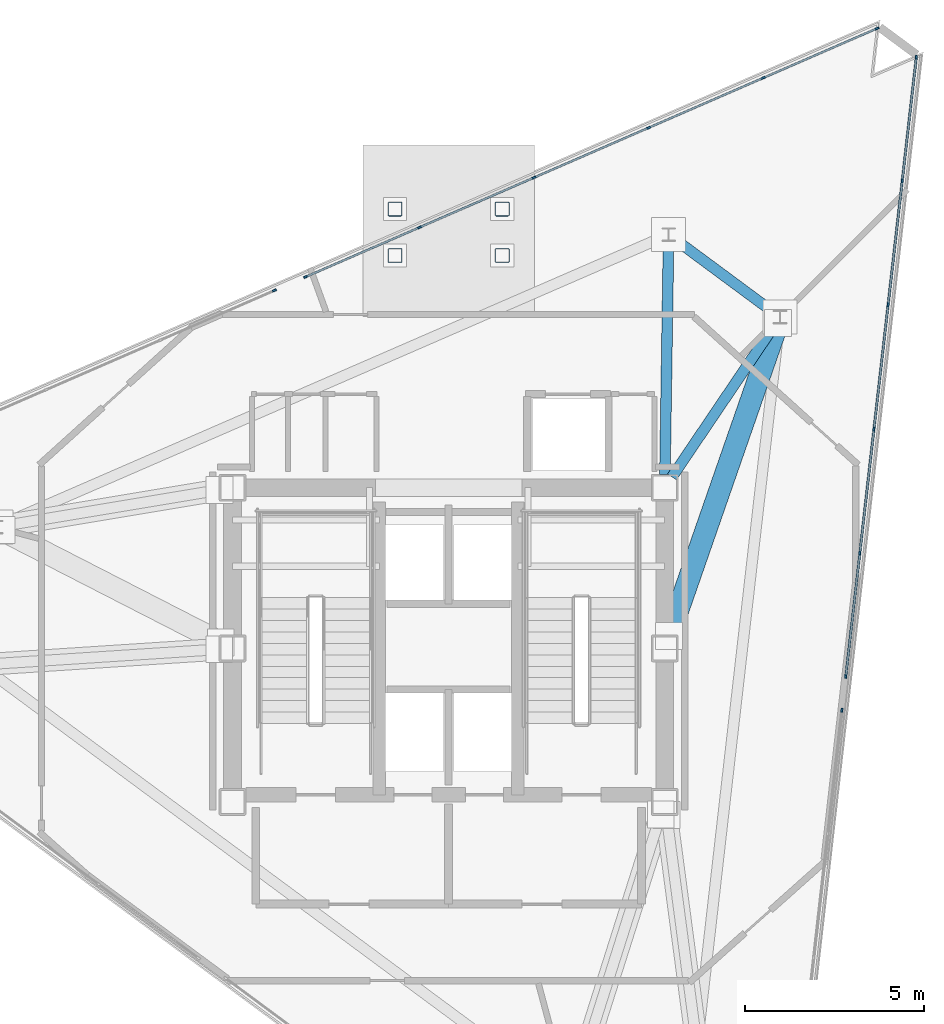
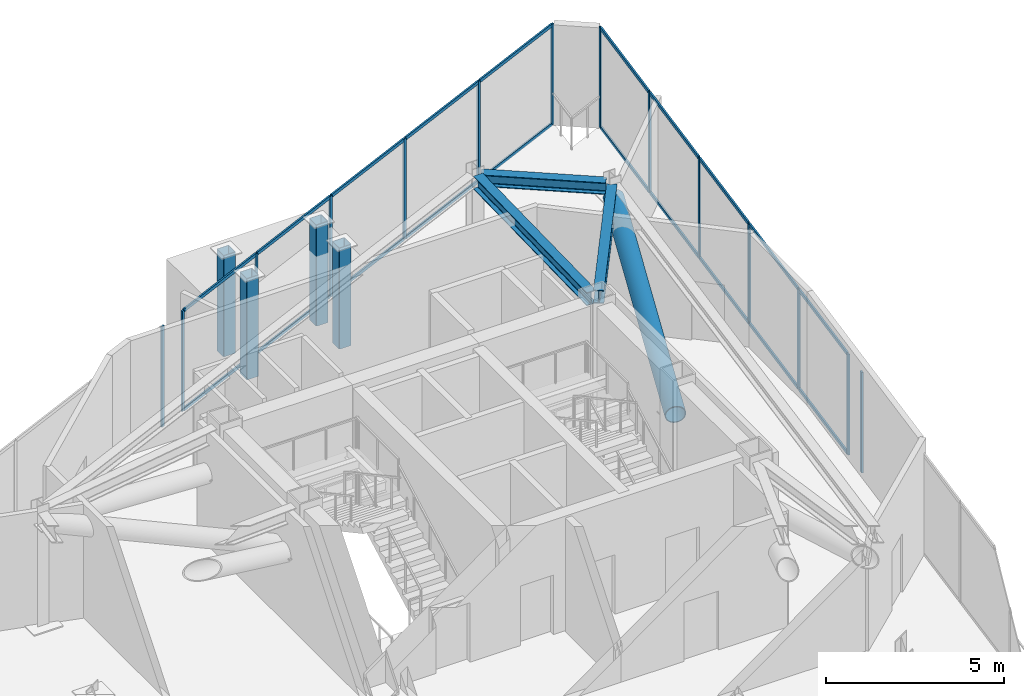
# One storey, part 6 of 11: 39 members, 3 beams, 4 elements without a shape of their own.
"""IFC4 building model written with IfcOpenShell, lengths in metres."""

from ifc_helpers import new_model, si_unit, direction, frame, origin, origin_2d, place, context, subcontext, project, spatial, rectangle, hollow_rectangle, hollow_circle, i_section, extrude, material, layer, layer_set, material_profile, profile_set, type_object, element, aggregate, save


model = new_model("IFC4")

# Units and contexts
model_context = context("Model", 3, precision=1e-05, world=origin(), true_north=direction((0.0, 1.0)))
body_context = subcontext(model_context, "Body", "Model", "MODEL_VIEW")
ifc_project = project(units=[si_unit("LENGTHUNIT", "METRE"), si_unit("AREAUNIT", "SQUARE_METRE"), si_unit("VOLUMEUNIT", "CUBIC_METRE"), si_unit("PLANEANGLEUNIT", "RADIAN"), si_unit("MASSUNIT", "GRAM", prefix="KILO")], contexts=[model_context])

# Site, building, storey
site_placement = place(None, origin())
site = spatial("IfcSite", under=ifc_project, at=site_placement, CompositionType="ELEMENT")
building_placement = place(site_placement, origin())
building = spatial("IfcBuilding", under=site, at=building_placement, Name="Rocaltana Carrier Exchange", CompositionType="ELEMENT")
storey_placement = place(building_placement, frame((0.0, 0.0, 239.199951171875)))
storey = spatial("IfcBuildingStorey", under=building, at=storey_placement, Name="L76", CompositionType="ELEMENT", Elevation=239.199951171875)

# Curtain wall, member
ifc_material_1 = material(Name="Aluminium 6063-T6", Category="aluminium")
ifc_layer = layer(ifc_material_1, 0.110107421875)
ifc_layer_set = layer_set([ifc_layer], Name="Aluminium 6063-T6")
curtain_wall_type = type_object("IfcCurtainWallType", Name="Crown Lantern Faceted Curtain Wall CW-06", PredefinedType="NOTDEFINED", material=ifc_layer_set)
curtain_wall_1_placement = place(storey_placement, origin())
curtain_wall_1 = element("IfcCurtainWall", 1, at=curtain_wall_1_placement, inside=storey, type_object=curtain_wall_type, Name="L76 CW-06 Run CW06-L76-F1S1", PredefinedType="NOTDEFINED")
ifc_material_2 = material(Name="Aluminium 6063-T6", Category="aluminium")
ifc_material_profile_1 = material_profile(ifc_material_2, rectangle(XDim=0.054931640625, YDim=0.110107421875, at=origin_2d()), Name="AL-55X110")
ifc_profile_set_1 = profile_set([ifc_material_profile_1], Name="Aluminium 6063-T6")
member_type_1 = type_object("IfcMemberType", Name="CW-06 Mullion AL-55X110", PredefinedType="MULLION", material=ifc_profile_set_1)
member_1_placement = place(storey_placement, frame((11.010498046875, -1.735107421875, 0.0), z_axis=(0.0, 0.0, 1.0), x_axis=(-0.993572284893, 0.113199446517, 0.0)))
member_1 = element("IfcMember", 2, at=member_1_placement, type_object=member_type_1, Name="CW-06 mullion 6", PredefinedType="MULLION", context=body_context, shape_type="SweptSolid", body=[
    extrude(rectangle(XDim=0.054931640625, YDim=0.110107421875, at=origin_2d()), origin(), (0.0, 0.0, 1.0), 3.447998046875),
])
aggregate(curtain_wall_1, [member_1])

# Curtain wall, members
curtain_wall_2_placement = place(storey_placement, origin())
curtain_wall_2 = element("IfcCurtainWall", 3, at=curtain_wall_2_placement, inside=storey, type_object=curtain_wall_type, Name="L76 CW-06 Run CW06-L76-F1S2", PredefinedType="NOTDEFINED")
member_2_placement = place(storey_placement, frame((11.118408203125, -0.7861328125, 0.0), z_axis=(0.0, 0.0, 1.0), x_axis=(-0.993571568954, 0.113205730273, 0.0)))
member_2 = element("IfcMember", 4, at=member_2_placement, type_object=member_type_1, Name="CW-06 mullion 1", PredefinedType="MULLION", context=body_context, shape_type="SweptSolid", body=[
    extrude(rectangle(XDim=0.054931640625, YDim=0.110107421875, at=origin_2d()), origin(), (0.0, 0.0, 1.0), 3.447998046875),
])
member_3_placement = place(storey_placement, frame((11.51171875, 2.6640625, 0.0), z_axis=(0.0, 0.0, 1.0), x_axis=(-0.993571568954, 0.113205730273, 0.0)))
member_3 = element("IfcMember", 5, at=member_3_placement, type_object=member_type_1, Name="CW-06 mullion 2", PredefinedType="MULLION", context=body_context, shape_type="SweptSolid", body=[
    extrude(rectangle(XDim=0.054931640625, YDim=0.110107421875, at=origin_2d()), origin(), (0.0, 0.0, 1.0), 3.447998046875),
])
member_4_placement = place(storey_placement, frame((11.907958984375, 6.1416015625, 0.0), z_axis=(0.0, 0.0, 1.0), x_axis=(-0.993571568954, 0.113205730273, 0.0)))
member_4 = element("IfcMember", 6, at=member_4_placement, type_object=member_type_1, Name="CW-06 mullion 3", PredefinedType="MULLION", context=body_context, shape_type="SweptSolid", body=[
    extrude(rectangle(XDim=0.054931640625, YDim=0.110107421875, at=origin_2d()), origin(), (0.0, 0.0, 1.0), 3.447998046875),
])
member_5_placement = place(storey_placement, frame((12.303955078125, 9.618896484375, 0.0), z_axis=(0.0, 0.0, 1.0), x_axis=(-0.993571568954, 0.113205730273, 0.0)))
member_5 = element("IfcMember", 7, at=member_5_placement, type_object=member_type_1, Name="CW-06 mullion 4", PredefinedType="MULLION", context=body_context, shape_type="SweptSolid", body=[
    extrude(rectangle(XDim=0.054931640625, YDim=0.110107421875, at=origin_2d()), origin(), (0.0, 0.0, 1.0), 3.447998046875),
])
member_6_placement = place(storey_placement, frame((12.7001953125, 13.096435546875, 0.0), z_axis=(0.0, 0.0, 1.0), x_axis=(-0.993571568954, 0.113205730273, 0.0)))
member_6 = element("IfcMember", 8, at=member_6_placement, type_object=member_type_1, Name="CW-06 mullion 5", PredefinedType="MULLION", context=body_context, shape_type="SweptSolid", body=[
    extrude(rectangle(XDim=0.054931640625, YDim=0.110107421875, at=origin_2d()), origin(), (0.0, 0.0, 1.0), 3.447998046875),
])
member_7_placement = place(storey_placement, frame((13.093505859375, 16.546630859375, 0.0), z_axis=(0.0, 0.0, 1.0), x_axis=(-0.993571568954, 0.113205730273, 0.0)))
member_7 = element("IfcMember", 9, at=member_7_placement, type_object=member_type_1, Name="CW-06 mullion 6", PredefinedType="MULLION", context=body_context, shape_type="SweptSolid", body=[
    extrude(rectangle(XDim=0.054931640625, YDim=0.110107421875, at=origin_2d()), origin(), (0.0, 0.0, 1.0), 3.447998046875),
])

curtain_wall_3_placement = place(storey_placement, origin())
curtain_wall_3 = element("IfcCurtainWall", 10, at=curtain_wall_3_placement, inside=storey, type_object=curtain_wall_type, Name="L76 CW-06 Run CW06-L76-F2S1", PredefinedType="NOTDEFINED")
member_8_placement = place(storey_placement, frame((11.995361328125, 17.359130859375, 0.0), z_axis=(0.0, 0.0, 1.0), x_axis=(0.398749722519, -0.917059790194, 0.0)))
member_8 = element("IfcMember", 11, at=member_8_placement, type_object=member_type_1, Name="CW-06 mullion 1", PredefinedType="MULLION", context=body_context, shape_type="SweptSolid", body=[
    extrude(rectangle(XDim=0.054931640625, YDim=0.110107421875, at=origin_2d()), origin(), (0.0, 0.0, 1.0), 3.447998046875),
])
member_9_placement = place(storey_placement, frame((8.81103515625, 15.974365234375, 0.0), z_axis=(0.0, 0.0, 1.0), x_axis=(0.398749722519, -0.917059790194, 0.0)))
member_9 = element("IfcMember", 12, at=member_9_placement, type_object=member_type_1, Name="CW-06 mullion 2", PredefinedType="MULLION", context=body_context, shape_type="SweptSolid", body=[
    extrude(rectangle(XDim=0.054931640625, YDim=0.110107421875, at=origin_2d()), origin(), (0.0, 0.0, 1.0), 3.447998046875),
])
member_10_placement = place(storey_placement, frame((5.601318359375, 14.578857421875, 0.0), z_axis=(0.0, 0.0, 1.0), x_axis=(0.398749722519, -0.917059790194, 0.0)))
member_10 = element("IfcMember", 13, at=member_10_placement, type_object=member_type_1, Name="CW-06 mullion 3", PredefinedType="MULLION", context=body_context, shape_type="SweptSolid", body=[
    extrude(rectangle(XDim=0.054931640625, YDim=0.110107421875, at=origin_2d()), origin(), (0.0, 0.0, 1.0), 3.447998046875),
])
member_11_placement = place(storey_placement, frame((2.3916015625, 13.18310546875, 0.0), z_axis=(0.0, 0.0, 1.0), x_axis=(0.398749722519, -0.917059790194, 0.0)))
member_11 = element("IfcMember", 14, at=member_11_placement, type_object=member_type_1, Name="CW-06 mullion 4", PredefinedType="MULLION", context=body_context, shape_type="SweptSolid", body=[
    extrude(rectangle(XDim=0.054931640625, YDim=0.110107421875, at=origin_2d()), origin(), (0.0, 0.0, 1.0), 3.447998046875),
])
member_12_placement = place(storey_placement, frame((-0.818115234375, 11.78759765625, 0.0), z_axis=(0.0, 0.0, 1.0), x_axis=(0.398749722519, -0.917059790194, 0.0)))
member_12 = element("IfcMember", 15, at=member_12_placement, type_object=member_type_1, Name="CW-06 mullion 5", PredefinedType="MULLION", context=body_context, shape_type="SweptSolid", body=[
    extrude(rectangle(XDim=0.054931640625, YDim=0.110107421875, at=origin_2d()), origin(), (0.0, 0.0, 1.0), 3.447998046875),
])
member_13_placement = place(storey_placement, frame((-4.002685546875, 10.40283203125, 0.0), z_axis=(0.0, 0.0, 1.0), x_axis=(0.398749722519, -0.917059790194, 0.0)))
member_13 = element("IfcMember", 16, at=member_13_placement, type_object=member_type_1, Name="CW-06 mullion 6", PredefinedType="MULLION", context=body_context, shape_type="SweptSolid", body=[
    extrude(rectangle(XDim=0.054931640625, YDim=0.110107421875, at=origin_2d()), origin(), (0.0, 0.0, 1.0), 3.447998046875),
])

# Curtain wall, member
curtain_wall_4_placement = place(storey_placement, origin())
curtain_wall_4 = element("IfcCurtainWall", 17, at=curtain_wall_4_placement, inside=storey, type_object=curtain_wall_type, Name="L76 CW-06 Run CW06-L76-F2S2", PredefinedType="NOTDEFINED")
member_14_placement = place(storey_placement, frame((-4.87841796875, 10.02197265625, 0.0), z_axis=(0.0, 0.0, 1.0), x_axis=(0.398749722519, -0.917059790194, 0.0)))
member_14 = element("IfcMember", 18, at=member_14_placement, type_object=member_type_1, Name="CW-06 mullion 1", PredefinedType="MULLION", context=body_context, shape_type="SweptSolid", body=[
    extrude(rectangle(XDim=0.054931640625, YDim=0.110107421875, at=origin_2d()), origin(), (0.0, 0.0, 1.0), 3.447998046875),
])
aggregate(curtain_wall_4, [member_14])

# Member
ifc_material_3 = material(Name="Aluminium 6063-T6", Category="aluminium")
ifc_material_profile_2 = material_profile(ifc_material_3, rectangle(XDim=0.054931640625, YDim=0.110107421875, at=origin_2d()), Name="AL-55X110")
ifc_profile_set_2 = profile_set([ifc_material_profile_2], Name="Aluminium 6063-T6")
member_type_2 = type_object("IfcMemberType", Name="CW-06 Transom AL-55X110", PredefinedType="USERDEFINED", material=ifc_profile_set_2)
member_15_placement = place(storey_placement, frame((11.12158203125, -0.7587890625, 0.027587890625), z_axis=(0.113230263574, 0.993568773367, 0.0), x_axis=(-0.993568773367, 0.113230263574, 0.0)))
member_15 = element("IfcMember", 19, at=member_15_placement, type_object=member_type_2, Name="CW-06 transom 1.1", ObjectType="TRANSOM", PredefinedType="USERDEFINED", context=body_context, shape_type="SweptSolid", body=[
    extrude(rectangle(XDim=0.054931640625, YDim=0.110107421875, at=origin_2d()), origin(), (0.0, 0.0, 1.0), 3.41748046875),
])

member_16_placement = place(storey_placement, frame((11.12158203125, -0.7587890625, 3.420654296875), z_axis=(0.113230263574, 0.993568773367, 0.0), x_axis=(-0.993568773367, 0.113230263574, 0.0)))
member_16 = element("IfcMember", 20, at=member_16_placement, type_object=member_type_2, Name="CW-06 transom 1.2", ObjectType="TRANSOM", PredefinedType="USERDEFINED", context=body_context, shape_type="SweptSolid", body=[
    extrude(rectangle(XDim=0.054931640625, YDim=0.110107421875, at=origin_2d()), origin(), (0.0, 0.0, 1.0), 3.41748046875),
])

member_17_placement = place(storey_placement, frame((11.5146484375, 2.69140625, 0.027587890625), z_axis=(0.113246782546, 0.993566890674, 0.0), x_axis=(-0.993566890674, 0.113246782546, 0.0)))
member_17 = element("IfcMember", 21, at=member_17_placement, type_object=member_type_2, Name="CW-06 transom 2.1", ObjectType="TRANSOM", PredefinedType="USERDEFINED", context=body_context, shape_type="SweptSolid", body=[
    extrude(rectangle(XDim=0.054931640625, YDim=0.110107421875, at=origin_2d()), origin(), (0.0, 0.0, 1.0), 3.445068359375),
])

member_18_placement = place(storey_placement, frame((11.5146484375, 2.69140625, 3.420654296875), z_axis=(0.113246782546, 0.993566890674, 0.0), x_axis=(-0.993566890674, 0.113246782546, 0.0)))
member_18 = element("IfcMember", 22, at=member_18_placement, type_object=member_type_2, Name="CW-06 transom 2.2", ObjectType="TRANSOM", PredefinedType="USERDEFINED", context=body_context, shape_type="SweptSolid", body=[
    extrude(rectangle(XDim=0.054931640625, YDim=0.110107421875, at=origin_2d()), origin(), (0.0, 0.0, 1.0), 3.445068359375),
])

member_19_placement = place(storey_placement, frame((11.910888671875, 6.168701171875, 0.027587890625), z_axis=(0.11323880918, 0.993567799446, 0.0), x_axis=(-0.993567799446, 0.11323880918, 0.0)))
member_19 = element("IfcMember", 23, at=member_19_placement, type_object=member_type_2, Name="CW-06 transom 3.1", ObjectType="TRANSOM", PredefinedType="USERDEFINED", context=body_context, shape_type="SweptSolid", body=[
    extrude(rectangle(XDim=0.054931640625, YDim=0.110107421875, at=origin_2d()), origin(), (0.0, 0.0, 1.0), 3.4453125),
])

member_20_placement = place(storey_placement, frame((11.910888671875, 6.168701171875, 3.420654296875), z_axis=(0.11323880918, 0.993567799446, 0.0), x_axis=(-0.993567799446, 0.11323880918, 0.0)))
member_20 = element("IfcMember", 24, at=member_20_placement, type_object=member_type_2, Name="CW-06 transom 3.2", ObjectType="TRANSOM", PredefinedType="USERDEFINED", context=body_context, shape_type="SweptSolid", body=[
    extrude(rectangle(XDim=0.054931640625, YDim=0.110107421875, at=origin_2d()), origin(), (0.0, 0.0, 1.0), 3.4453125),
])

member_21_placement = place(storey_placement, frame((12.30712890625, 9.646240234375, 0.027587890625), z_axis=(0.113246782546, 0.993566890674, 0.0), x_axis=(-0.993566890674, 0.113246782546, 0.0)))
member_21 = element("IfcMember", 25, at=member_21_placement, type_object=member_type_2, Name="CW-06 transom 4.1", ObjectType="TRANSOM", PredefinedType="USERDEFINED", context=body_context, shape_type="SweptSolid", body=[
    extrude(rectangle(XDim=0.054931640625, YDim=0.110107421875, at=origin_2d()), origin(), (0.0, 0.0, 1.0), 3.445068359375),
])

member_22_placement = place(storey_placement, frame((12.30712890625, 9.646240234375, 3.420654296875), z_axis=(0.113246782546, 0.993566890674, 0.0), x_axis=(-0.993566890674, 0.113246782546, 0.0)))
member_22 = element("IfcMember", 26, at=member_22_placement, type_object=member_type_2, Name="CW-06 transom 4.2", ObjectType="TRANSOM", PredefinedType="USERDEFINED", context=body_context, shape_type="SweptSolid", body=[
    extrude(rectangle(XDim=0.054931640625, YDim=0.110107421875, at=origin_2d()), origin(), (0.0, 0.0, 1.0), 3.445068359375),
])

member_23_placement = place(storey_placement, frame((12.703369140625, 13.123779296875, 0.027587890625), z_axis=(0.113230263574, 0.993568773367, 0.0), x_axis=(-0.993568773367, 0.113230263574, 0.0)))
member_23 = element("IfcMember", 27, at=member_23_placement, type_object=member_type_2, Name="CW-06 transom 5.1", ObjectType="TRANSOM", PredefinedType="USERDEFINED", context=body_context, shape_type="SweptSolid", body=[
    extrude(rectangle(XDim=0.054931640625, YDim=0.110107421875, at=origin_2d()), origin(), (0.0, 0.0, 1.0), 3.41748046875),
])

member_24_placement = place(storey_placement, frame((12.703369140625, 13.123779296875, 3.420654296875), z_axis=(0.113230263574, 0.993568773367, 0.0), x_axis=(-0.993568773367, 0.113230263574, 0.0)))
member_24 = element("IfcMember", 28, at=member_24_placement, type_object=member_type_2, Name="CW-06 transom 5.2", ObjectType="TRANSOM", PredefinedType="USERDEFINED", context=body_context, shape_type="SweptSolid", body=[
    extrude(rectangle(XDim=0.054931640625, YDim=0.110107421875, at=origin_2d()), origin(), (0.0, 0.0, 1.0), 3.41748046875),
])

aggregate(curtain_wall_2, [member_2, member_3, member_4, member_5, member_6, member_7, member_15, member_16, member_17, member_18, member_19, member_20, member_21, member_22, member_23, member_24])

member_25_placement = place(storey_placement, frame((11.97021484375, 17.34814453125, 0.027587890625), z_axis=(-0.917051883427, -0.398767906309, 0.0), x_axis=(0.398767906309, -0.917051883427, 0.0)))
member_25 = element("IfcMember", 29, at=member_25_placement, type_object=member_type_2, Name="CW-06 transom 1.1", ObjectType="TRANSOM", PredefinedType="USERDEFINED", context=body_context, shape_type="SweptSolid", body=[
    extrude(rectangle(XDim=0.054931640625, YDim=0.110107421875, at=origin_2d()), origin(), (0.0, 0.0, 1.0), 3.41748046875),
])

member_26_placement = place(storey_placement, frame((11.97021484375, 17.34814453125, 3.420654296875), z_axis=(-0.917051883427, -0.398767906309, 0.0), x_axis=(0.398767906309, -0.917051883427, 0.0)))
member_26 = element("IfcMember", 30, at=member_26_placement, type_object=member_type_2, Name="CW-06 transom 1.2", ObjectType="TRANSOM", PredefinedType="USERDEFINED", context=body_context, shape_type="SweptSolid", body=[
    extrude(rectangle(XDim=0.054931640625, YDim=0.110107421875, at=origin_2d()), origin(), (0.0, 0.0, 1.0), 3.41748046875),
])

member_27_placement = place(storey_placement, frame((8.785888671875, 15.96337890625, 0.027587890625), z_axis=(-0.91708357557, -0.398695015544, 0.0), x_axis=(0.398695015544, -0.91708357557, 0.0)))
member_27 = element("IfcMember", 31, at=member_27_placement, type_object=member_type_2, Name="CW-06 transom 2.1", ObjectType="TRANSOM", PredefinedType="USERDEFINED", context=body_context, shape_type="SweptSolid", body=[
    extrude(rectangle(XDim=0.054931640625, YDim=0.110107421875, at=origin_2d()), origin(), (0.0, 0.0, 1.0), 3.445068359375),
])

member_28_placement = place(storey_placement, frame((8.785888671875, 15.96337890625, 3.420654296875), z_axis=(-0.91708357557, -0.398695015544, 0.0), x_axis=(0.398695015544, -0.91708357557, 0.0)))
member_28 = element("IfcMember", 32, at=member_28_placement, type_object=member_type_2, Name="CW-06 transom 2.2", ObjectType="TRANSOM", PredefinedType="USERDEFINED", context=body_context, shape_type="SweptSolid", body=[
    extrude(rectangle(XDim=0.054931640625, YDim=0.110107421875, at=origin_2d()), origin(), (0.0, 0.0, 1.0), 3.445068359375),
])

member_29_placement = place(storey_placement, frame((5.576171875, 14.56787109375, 0.027587890625), z_axis=(-0.91705766297, -0.398754614754, 0.0), x_axis=(0.398754614754, -0.91705766297, 0.0)))
member_29 = element("IfcMember", 33, at=member_29_placement, type_object=member_type_2, Name="CW-06 transom 3.1", ObjectType="TRANSOM", PredefinedType="USERDEFINED", context=body_context, shape_type="SweptSolid", body=[
    extrude(rectangle(XDim=0.054931640625, YDim=0.110107421875, at=origin_2d()), origin(), (0.0, 0.0, 1.0), 3.445068359375),
])

member_30_placement = place(storey_placement, frame((5.576171875, 14.56787109375, 3.420654296875), z_axis=(-0.91705766297, -0.398754614754, 0.0), x_axis=(0.398754614754, -0.91705766297, 0.0)))
member_30 = element("IfcMember", 34, at=member_30_placement, type_object=member_type_2, Name="CW-06 transom 3.2", ObjectType="TRANSOM", PredefinedType="USERDEFINED", context=body_context, shape_type="SweptSolid", body=[
    extrude(rectangle(XDim=0.054931640625, YDim=0.110107421875, at=origin_2d()), origin(), (0.0, 0.0, 1.0), 3.445068359375),
])

member_31_placement = place(storey_placement, frame((2.366455078125, 13.172119140625, 0.027587890625), z_axis=(-0.91708357557, -0.398695015544, 0.0), x_axis=(0.398695015544, -0.91708357557, 0.0)))
member_31 = element("IfcMember", 35, at=member_31_placement, type_object=member_type_2, Name="CW-06 transom 4.1", ObjectType="TRANSOM", PredefinedType="USERDEFINED", context=body_context, shape_type="SweptSolid", body=[
    extrude(rectangle(XDim=0.054931640625, YDim=0.110107421875, at=origin_2d()), origin(), (0.0, 0.0, 1.0), 3.445068359375),
])

member_32_placement = place(storey_placement, frame((2.366455078125, 13.172119140625, 3.420654296875), z_axis=(-0.91708357557, -0.398695015544, 0.0), x_axis=(0.398695015544, -0.91708357557, 0.0)))
member_32 = element("IfcMember", 36, at=member_32_placement, type_object=member_type_2, Name="CW-06 transom 4.2", ObjectType="TRANSOM", PredefinedType="USERDEFINED", context=body_context, shape_type="SweptSolid", body=[
    extrude(rectangle(XDim=0.054931640625, YDim=0.110107421875, at=origin_2d()), origin(), (0.0, 0.0, 1.0), 3.445068359375),
])

member_33_placement = place(storey_placement, frame((-0.84326171875, 11.776611328125, 0.027587890625), z_axis=(-0.917051883427, -0.398767906309, 0.0), x_axis=(0.398767906309, -0.917051883427, 0.0)))
member_33 = element("IfcMember", 37, at=member_33_placement, type_object=member_type_2, Name="CW-06 transom 5.1", ObjectType="TRANSOM", PredefinedType="USERDEFINED", context=body_context, shape_type="SweptSolid", body=[
    extrude(rectangle(XDim=0.054931640625, YDim=0.110107421875, at=origin_2d()), origin(), (0.0, 0.0, 1.0), 3.41748046875),
])

member_34_placement = place(storey_placement, frame((-0.84326171875, 11.776611328125, 3.420654296875), z_axis=(-0.917051883427, -0.398767906309, 0.0), x_axis=(0.398767906309, -0.917051883427, 0.0)))
member_34 = element("IfcMember", 38, at=member_34_placement, type_object=member_type_2, Name="CW-06 transom 5.2", ObjectType="TRANSOM", PredefinedType="USERDEFINED", context=body_context, shape_type="SweptSolid", body=[
    extrude(rectangle(XDim=0.054931640625, YDim=0.110107421875, at=origin_2d()), origin(), (0.0, 0.0, 1.0), 3.41748046875),
])

aggregate(curtain_wall_3, [member_8, member_9, member_10, member_11, member_12, member_13, member_25, member_26, member_27, member_28, member_29, member_30, member_31, member_32, member_33, member_34])

# Beams
ifc_material_4 = material(Name="Steel S460", Category="steel")
ifc_material_profile_3 = material_profile(ifc_material_4, i_section(OverallWidth=0.300048828125, OverallDepth=0.449951171875, WebThickness=0.013916015625, FlangeThickness=0.02587890625, FilletRadius=0.027099609375, at=origin_2d()), Name="HEB450")
ifc_profile_set_3 = profile_set([ifc_material_profile_3], Name="Steel S460")
beam_type_1 = type_object("IfcBeamType", Name="Crown Frame Rafter HEB450", PredefinedType="BEAM", material=ifc_profile_set_3)
beam_1_placement = place(storey_placement, frame((6.255615234375, 4.80419921875, 3.703125), z_axis=(0.5598227267, 0.82861240316, 0.0), x_axis=(-0.82861240316, 0.5598227267, 0.0)))
element("IfcBeam", 39, at=beam_1_placement, inside=storey, type_object=beam_type_1, Name="CRG-RAD-L76-02", PredefinedType="BEAM", context=body_context, shape_type="SweptSolid", body=[
    extrude(i_section(OverallWidth=0.300048828125, OverallDepth=0.449951171875, WebThickness=0.013916015625, FlangeThickness=0.02587890625, FilletRadius=0.027099609375, at=origin_2d()), origin(), (0.0, 0.0, 1.0), 5.224609375),
])
beam_2_placement = place(storey_placement, frame((6.0556640625, 4.866943359375, 3.703125), z_axis=(0.015443613881, 0.999880740284, 0.0), x_axis=(-0.999880740284, 0.015443613881, 0.0)))
element("IfcBeam", 40, at=beam_2_placement, inside=storey, type_object=beam_type_1, Name="CRG-RAD-L76-03", PredefinedType="BEAM", context=body_context, shape_type="SweptSolid", body=[
    extrude(i_section(OverallWidth=0.300048828125, OverallDepth=0.449951171875, WebThickness=0.013916015625, FlangeThickness=0.02587890625, FilletRadius=0.027099609375, at=origin_2d()), origin(), (0.0, 0.0, 1.0), 6.544677734375),
])
ifc_material_5 = material(Name="Steel S460", Category="steel")
ifc_material_profile_4 = material_profile(ifc_material_5, i_section(OverallWidth=0.300048828125, OverallDepth=0.39990234375, WebThickness=0.013427734375, FlangeThickness=0.02392578125, FilletRadius=0.027099609375, at=origin_2d()), Name="HEB400")
ifc_profile_set_4 = profile_set([ifc_material_profile_4], Name="Steel S460")
beam_type_2 = type_object("IfcBeamType", Name="Crown Ring Beam HEB400", PredefinedType="BEAM", material=ifc_profile_set_4)
beam_3_placement = place(storey_placement, frame((9.137939453125, 9.380859375, 3.72802734375), z_axis=(-0.803841238044, 0.594843898867, 0.0), x_axis=(-0.594843898867, -0.803841238044, 0.0)))
element("IfcBeam", 41, at=beam_3_placement, inside=storey, type_object=beam_type_2, Name="CRG-RING-L76-02", PredefinedType="BEAM", context=body_context, shape_type="SweptSolid", body=[
    extrude(i_section(OverallWidth=0.300048828125, OverallDepth=0.39990234375, WebThickness=0.013427734375, FlangeThickness=0.02392578125, FilletRadius=0.027099609375, at=origin_2d()), origin(), (0.0, 0.0, 1.0), 3.53125),
])

# Members
ifc_material_6 = material(Name="Steel S460", Category="steel")
ifc_material_profile_5 = material_profile(ifc_material_6, hollow_circle(Radius=0.304931640625, WallThickness=0.02490234375, at=origin_2d()), Name="CHS610X25")
ifc_profile_set_5 = profile_set([ifc_material_profile_5], Name="Steel S460")
member_type_3 = type_object("IfcMemberType", Name="Outrigger Diagonal CHS610", PredefinedType="BRACE", material=ifc_profile_set_5)
member_35_placement = place(storey_placement, frame((6.171875, 0.350341796875, 2.400146484375), z_axis=(0.326458523465, 0.938264235067, 0.114389936845), x_axis=(-0.944463763542, 0.328615579906, 0.0)))
element("IfcMember", 42, at=member_35_placement, inside=storey, type_object=member_type_3, Name="L76 Hat Truss Diagonal 2", PredefinedType="BRACE", context=body_context, shape_type="SweptSolid", body=[
    extrude(hollow_circle(Radius=0.304931640625, WallThickness=0.02490234375, at=origin_2d()), origin(), (0.0, 0.0, 1.0), 9.33544921875),
])
ifc_material_7 = material(Name="Steel S460", Category="steel")
ifc_material_profile_6 = material_profile(ifc_material_7, hollow_rectangle(XDim=0.39990234375, YDim=0.39990234375, WallThickness=0.01611328125, InnerFilletRadius=0.01611328125, OuterFilletRadius=0.031982421875, at=origin_2d()), Name="HSS400X400X16")
ifc_profile_set_6 = profile_set([ifc_material_profile_6], Name="Steel S460")
member_type_4 = type_object("IfcMemberType", Name="TMD Ring Post HSS400", PredefinedType="POST", material=ifc_profile_set_6)
for number, where, z_axis, x_axis, name in (
    (43, (-1.5, 11.0, 0.0), (0.0, 0.0, 1.0), (1.0, 0.0, 0.0), "L76 TMD Support Ring Post 1"),
    (44, (1.5, 11.0, 0.0), (0.0, 0.0, 1.0), (1.0, 0.0, 0.0), "L76 TMD Support Ring Post 2"),
    (45, (1.5, 12.300048828125, 0.0), (0.0, 0.0, 1.0), (1.0, 0.0, 0.0), "L76 TMD Support Ring Post 3"),
    (46, (-1.5, 12.300048828125, 0.0), (0.0, 0.0, 1.0), (1.0, 0.0, 0.0), "L76 TMD Support Ring Post 4"),
):
    element("IfcMember", number, at=place(storey_placement, frame(where, z_axis=z_axis, x_axis=x_axis)), inside=storey, type_object=member_type_4, Name=name, PredefinedType="POST", context=body_context, shape_type="SweptSolid", body=[
        extrude(hollow_rectangle(XDim=0.39990234375, YDim=0.39990234375, WallThickness=0.01611328125, InnerFilletRadius=0.01611328125, OuterFilletRadius=0.031982421875, at=origin_2d()), origin(), (0.0, 0.0, 1.0), 3.468017578125),
    ])

save(model, "model.ifc")
